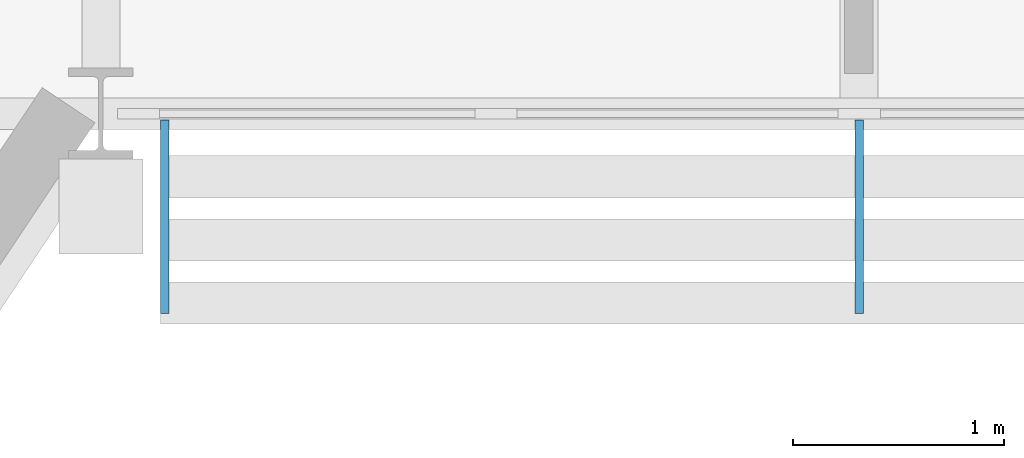
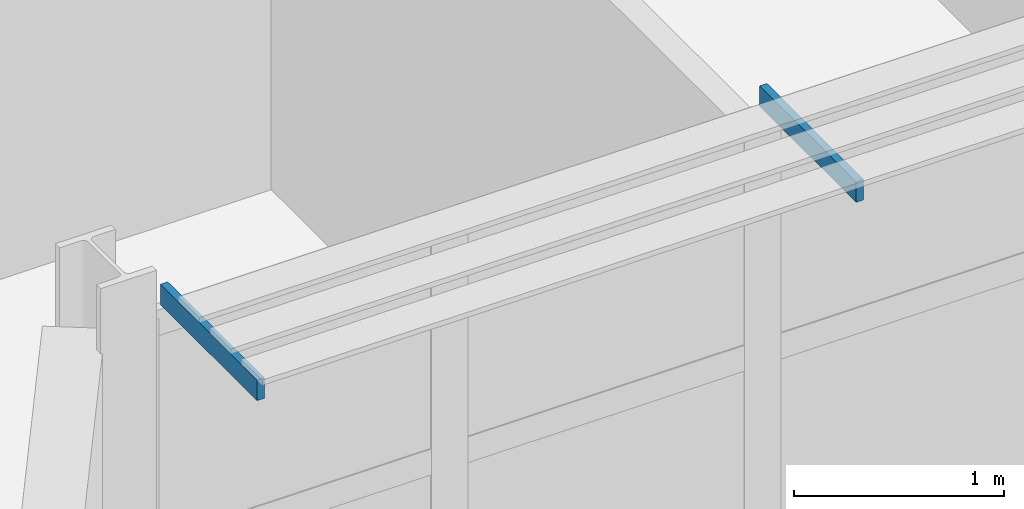
# One storey, part 110 of 142: 2 discrete accessories.
"""IFC4 building model written with IfcOpenShell, lengths in metres."""

from ifc_helpers import new_model, si_unit, direction, frame, origin, origin_2d, place, context, subcontext, project, spatial, rectangle, extrude, material, layer, layer_set, type_object, element, save


model = new_model("IFC4")

# Units and contexts
model_context = context("Model", 3, precision=1e-05, world=origin(), true_north=direction((0.0, 1.0)))
body_context = subcontext(model_context, "Body", "Model", "MODEL_VIEW")
ifc_project = project(units=[si_unit("LENGTHUNIT", "METRE"), si_unit("AREAUNIT", "SQUARE_METRE"), si_unit("VOLUMEUNIT", "CUBIC_METRE"), si_unit("PLANEANGLEUNIT", "RADIAN"), si_unit("MASSUNIT", "GRAM", prefix="KILO")], contexts=[model_context])

# Site, building, storey
site_placement = place(None, origin())
site = spatial("IfcSite", under=ifc_project, at=site_placement, CompositionType="ELEMENT")
building_placement = place(site_placement, origin())
building = spatial("IfcBuilding", under=site, at=building_placement, Name="Kupolbacken Congress Centre", CompositionType="ELEMENT")
storey_placement = place(building_placement, frame((0.0, 0.0, 14.39990234375)))
storey = spatial("IfcBuildingStorey", under=building, at=storey_placement, Name="L04", CompositionType="ELEMENT", Elevation=14.39990234375)

# Discrete accessories
ifc_material = material(Name="Steel S355", Category="steel")
ifc_layer = layer(ifc_material, 0.011962890625)
ifc_layer_set = layer_set([ifc_layer], Name="Steel S355")
discrete_accessory_type = type_object("IfcDiscreteAccessoryType", Name="BK1 bracket 150 x 150 x 12", PredefinedType="BRACKET", material=ifc_layer_set)
for number, where, z_axis, x_axis, name in (
    (1, (129.903564453125, 121.909912109375, 3.239990234375), (0.0, 0.0, 1.0), (1.0, 0.0, 0.0), "Brise-soleil arm"),
    (2, (133.20166015625, 121.909912109375, 3.239990234375), (0.0, 0.0, 1.0), (1.0, 0.0, 0.0), "Brise-soleil arm"),
):
    element("IfcDiscreteAccessory", number, at=place(storey_placement, frame(where, z_axis=z_axis, x_axis=x_axis)), inside=storey, type_object=discrete_accessory_type, Name=name, PredefinedType="BRACKET", context=body_context, shape_type="SweptSolid", body=[
        extrude(rectangle(XDim=0.0400390625, YDim=0.919921875, at=origin_2d()), origin(), (0.0, 0.0, 1.0), 0.1201171875),
    ])

save(model, "model.ifc")
